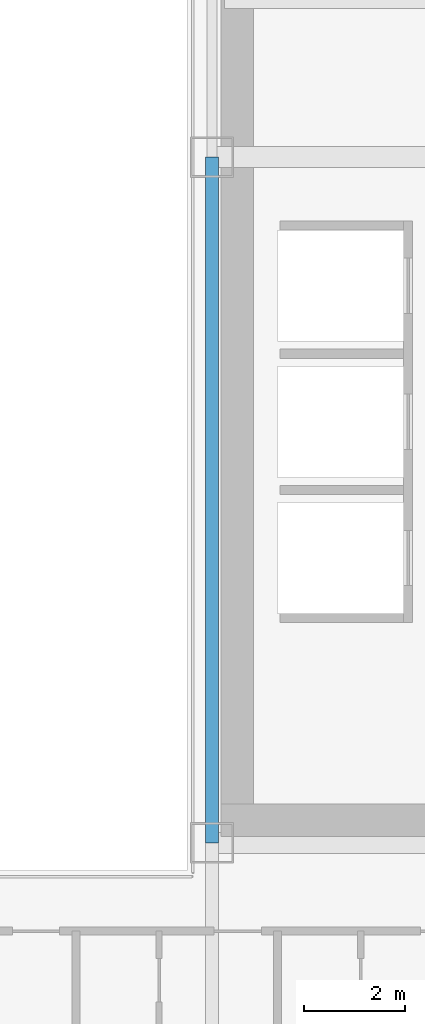
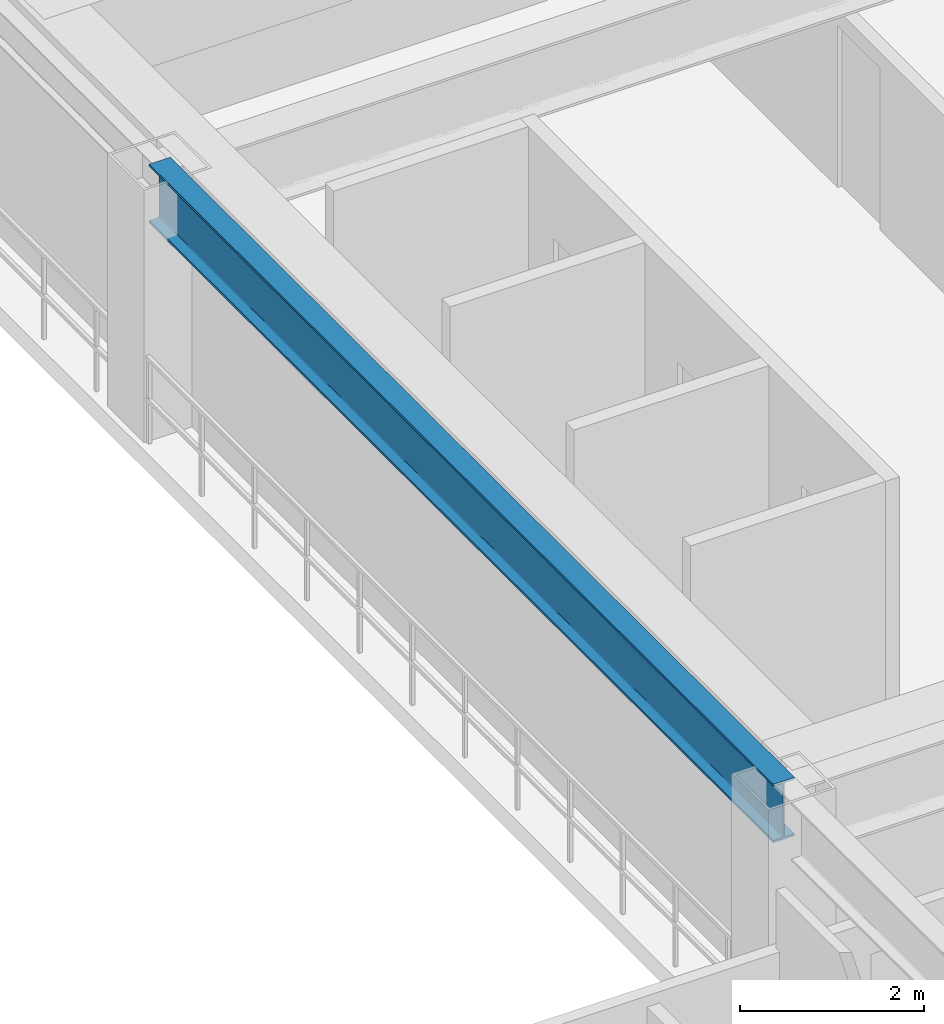
# One storey, part 12 of 36: 1 beam.
"""IFC4 building model written with IfcOpenShell, lengths in metres."""

import ifcopenshell
import ifcopenshell.guid

model = None  # the IFC model being written
_history = None  # IfcOwnerHistory: only IFC2X3 demands one
_inside = {}  # id of a spatial element -> (the spatial element, [elements in it])
_under = {}  # id of a project, library or spatial element -> (it, [spatial elements below it])
_declared = {}  # id of a project -> (the project, [libraries it declares])
_typed = {}  # id of a type object -> (the type object, [elements of that type])
_made_of = {}  # id of a material, layer set ... -> (it, [elements and type objects made of it])


def new_model(schema):
    """Start an empty IFC model of exactly this schema.

    Asked for "IFC4X3", IfcOpenShell would pick the latest addendum, in which some entities
    have other attributes; the version numbers below select the first issue.
    IFC2X3 requires an IfcOwnerHistory on every rooted entity: one is made here for all.
    """
    global model, _history
    if schema == "IFC4X3":
        model = ifcopenshell.file(schema_version=(4, 3, 0, 0))
    else:
        model = ifcopenshell.file(schema=schema)
    _inside.clear()
    _under.clear()
    _declared.clear()
    _typed.clear()
    _made_of.clear()
    _history = None
    if model.schema == "IFC2X3":
        org = make("IfcOrganization", Name="unknown")
        user = make(
            "IfcPersonAndOrganization",
            ThePerson=make("IfcPerson", FamilyName="unknown"),
            TheOrganization=org,
        )
        app = make(
            "IfcApplication",
            ApplicationDeveloper=org,
            Version="unknown",
            ApplicationFullName="unknown",
            ApplicationIdentifier="unknown",
        )
        _history = make(
            "IfcOwnerHistory",
            OwningUser=user,
            OwningApplication=app,
            ChangeAction="ADDED",
            CreationDate=0,
        )
    return model


def make(cls, **values):
    """One entity of the class cls with the attributes given. An attribute that is None is left unset."""
    return model.create_entity(
        cls, **{name: value for name, value in values.items() if value is not None}
    )


def rooted(cls, **values):
    """An entity with a GlobalId (a new one), such as an element, a storey or a relation."""
    return make(cls, GlobalId=ifcopenshell.guid.new(), OwnerHistory=_history, **values)


def si_unit(unit_type, name, prefix=None):
    """IfcSIUnit, for example si_unit("LENGTHUNIT", "METRE", prefix="MILLI")."""
    return make("IfcSIUnit", UnitType=unit_type, Prefix=prefix, Name=name)


def assignment(units):
    """IfcUnitAssignment: the units of a project."""
    return None if units is None else make("IfcUnitAssignment", Units=units)


def point(xyz):
    """IfcCartesianPoint."""
    return None if xyz is None else make("IfcCartesianPoint", Coordinates=xyz)


def direction(xyz):
    """IfcDirection."""
    return None if xyz is None else make("IfcDirection", DirectionRatios=xyz)


def frame(location, z_axis=None, x_axis=None):
    """IfcAxis2Placement3D, a coordinate frame: its origin and axes. An axis left out is left unset."""
    return make(
        "IfcAxis2Placement3D",
        Location=point(location),
        Axis=direction(z_axis),
        RefDirection=direction(x_axis),
    )


def frame_2d(location, x_axis=None):
    """IfcAxis2Placement2D, a coordinate frame in the plane: its origin and x axis."""
    return make(
        "IfcAxis2Placement2D", Location=point(location), RefDirection=direction(x_axis)
    )


def origin():
    """The frame at (0, 0, 0) with its axes left unset."""
    return frame((0.0, 0.0, 0.0))


def origin_2d():
    """The frame at (0, 0) in the plane with its x axis left unset."""
    return frame_2d((0.0, 0.0))


def place(relative_to, where):
    """IfcLocalPlacement: puts the frame where relative to a parent placement (None: the world)."""
    return make(
        "IfcLocalPlacement", PlacementRelTo=relative_to, RelativePlacement=where
    )


def context(
    kind, dimensions, precision=None, world=None, true_north=None, identifier=None
):
    """IfcGeometricRepresentationContext, for example the 3D "Model" context."""
    return make(
        "IfcGeometricRepresentationContext",
        ContextIdentifier=identifier,
        ContextType=kind,
        CoordinateSpaceDimension=dimensions,
        Precision=precision,
        WorldCoordinateSystem=world,
        TrueNorth=true_north,
    )


def subcontext(parent, identifier, kind, view, scale=None):
    """IfcGeometricRepresentationSubContext, for example "Body" below "Model"."""
    return make(
        "IfcGeometricRepresentationSubContext",
        ContextIdentifier=identifier,
        ContextType=kind,
        ParentContext=parent,
        TargetScale=scale,
        TargetView=view,
    )


def project(units=None, contexts=None):
    """IfcProject with its units and contexts."""
    return rooted(
        "IfcProject",
        Name="project",
        RepresentationContexts=contexts,
        UnitsInContext=assignment(units),
    )


def spatial(cls, under=None, at=None, **own):
    """A site, building, storey or space (cls), placed at a placement, below another one or the project."""
    s = rooted(cls, ObjectPlacement=at, **own)
    if under is not None:
        _under.setdefault(under.id(), (under, []))[1].append(s)
    return s


def profile(cls, at=None, kind="AREA", **sizes):
    """A parametric profile (cls). Its sizes go by their IFC names, for example OverallWidth=200.0."""
    return make(cls, ProfileType=kind, Position=at, **sizes)


def i_section(**sizes):
    """IfcIShapeProfileDef."""
    return profile("IfcIShapeProfileDef", **sizes)


def extrude(swept, where, along, depth):
    """IfcExtrudedAreaSolid: the profile swept, set in the frame where, extruded along a direction by depth."""
    return make(
        "IfcExtrudedAreaSolid",
        SweptArea=swept,
        Position=where,
        ExtrudedDirection=direction(along),
        Depth=depth,
    )


def shape(context_of_items, identifier, shape_type, items):
    """IfcShapeRepresentation: the items that make up one representation, for example the "Body"."""
    return make(
        "IfcShapeRepresentation",
        ContextOfItems=context_of_items,
        RepresentationIdentifier=identifier,
        RepresentationType=shape_type,
        Items=items,
    )


def source(mapping_origin, context_of_items, identifier, shape_type, items):
    """IfcRepresentationMap: a shape defined once, which mapped items show again and again."""
    return make(
        "IfcRepresentationMap",
        MappingOrigin=mapping_origin,
        MappedRepresentation=shape(context_of_items, identifier, shape_type, items),
    )


def transform(
    local_origin,
    x_axis=None,
    y_axis=None,
    z_axis=None,
    scale=None,
    scale2=None,
    scale3=None,
    uniform=True,
):
    """IfcCartesianTransformationOperator3D, or its non-uniform kind. x_axis, y_axis, z_axis: its Axis1, 2, 3."""
    if uniform:
        return make(
            "IfcCartesianTransformationOperator3D",
            Axis1=direction(x_axis),
            Axis2=direction(y_axis),
            LocalOrigin=point(local_origin),
            Scale=scale,
            Axis3=direction(z_axis),
        )
    return make(
        "IfcCartesianTransformationOperator3DnonUniform",
        Axis1=direction(x_axis),
        Axis2=direction(y_axis),
        LocalOrigin=point(local_origin),
        Scale=scale,
        Axis3=direction(z_axis),
        Scale2=scale2,
        Scale3=scale3,
    )


def mapped(mapping_source, mapping_target):
    """IfcMappedItem: shows the shape of a source again, moved by a transform."""
    return make(
        "IfcMappedItem", MappingSource=mapping_source, MappingTarget=mapping_target
    )


def material(Name=None, Category=None):
    """IfcMaterial."""
    return make("IfcMaterial", Name=Name, Category=Category)


def material_profile(
    of_material, cross_section, Name=None, Category=None, Priority=None
):
    """IfcMaterialProfile: a cross section and its material."""
    return make(
        "IfcMaterialProfile",
        Name=Name,
        Material=of_material,
        Profile=cross_section,
        Priority=Priority,
        Category=Category,
    )


def profile_set(profiles, Name=None, composite=None):
    """IfcMaterialProfileSet."""
    return make(
        "IfcMaterialProfileSet",
        Name=Name,
        MaterialProfiles=profiles,
        CompositeProfile=composite,
    )


def made_of(thing, what):
    """Note that an element or type object is made of a material, layer set ...; save() writes the relation."""
    if what is not None:
        _made_of.setdefault(what.id(), (what, []))[1].append(thing)
    return thing


def type_object(cls, material=None, **own):
    """A type object (cls), such as IfcWallType, which elements share."""
    return made_of(rooted(cls, **own), material)


def element(
    cls,
    number,
    at=None,
    inside=None,
    cuts=None,
    type_object=None,
    material=None,
    context=None,
    identifier="Body",
    shape_type=None,
    held_by="IfcProductDefinitionShape",
    body=None,
    shapes=None,
    **own,
):
    """One element of the class cls, such as IfcWall. Its Tag is "e" and its number.

    at: its placement. inside: the storey or other place that contains it. cuts: it is an
    opening in that element (IfcRelVoidsElement). A single representation is given by context,
    identifier, shape_type and body (its items); several are given by shapes. held_by: the class
    of the entity that holds the representations. save() writes the other relations.
    """
    e = rooted(cls, Tag="e%d" % number, ObjectPlacement=at, **own)
    if body is not None:
        shapes = [shape(context, identifier, shape_type, body)]
    if shapes is not None:
        e.Representation = make(held_by, Representations=shapes)
    if inside is not None:
        _inside.setdefault(inside.id(), (inside, []))[1].append(e)
    if cuts is not None:
        rooted(
            "IfcRelVoidsElement", RelatingBuildingElement=cuts, RelatedOpeningElement=e
        )
    if type_object is not None:
        _typed.setdefault(type_object.id(), (type_object, []))[1].append(e)
    return made_of(e, material)


def aggregate(whole, parts):
    """IfcRelAggregates: a whole, such as a stair, and the parts it consists of."""
    return rooted("IfcRelAggregates", RelatingObject=whole, RelatedObjects=parts)


def save(model, path):
    """Write the relations noted so far, then the file.

    IfcRelAggregates (storeys below a building ...), IfcRelContainedInSpatialStructure (elements
    in a storey), IfcRelDefinesByType, IfcRelAssociatesMaterial and IfcRelDeclares: one each for
    every whole, place, type object, material and project.
    """
    for whole, parts in _under.values():
        aggregate(whole, parts)
    for where, things in _inside.values():
        rooted(
            "IfcRelContainedInSpatialStructure",
            RelatedElements=things,
            RelatingStructure=where,
        )
    for kind, things in _typed.values():
        rooted("IfcRelDefinesByType", RelatedObjects=things, RelatingType=kind)
    for what, things in _made_of.values():
        rooted("IfcRelAssociatesMaterial", RelatedObjects=things, RelatingMaterial=what)
    for by, libraries in _declared.values():
        rooted("IfcRelDeclares", RelatingContext=by, RelatedDefinitions=libraries)
    model.write(path)


model = new_model("IFC4")

# Units and contexts
model_context = context("Model", 3, precision=1e-05, world=origin(), true_north=direction((0.0, 1.0)))
body_context = subcontext(model_context, "Body", "Model", "MODEL_VIEW")
ifc_project = project(units=[si_unit("LENGTHUNIT", "METRE"), si_unit("AREAUNIT", "SQUARE_METRE"), si_unit("VOLUMEUNIT", "CUBIC_METRE"), si_unit("PLANEANGLEUNIT", "RADIAN"), si_unit("MASSUNIT", "GRAM", prefix="KILO")], contexts=[model_context])

# Site, building, storey
site_placement = place(None, origin())
site = spatial("IfcSite", under=ifc_project, at=site_placement, CompositionType="ELEMENT")
building_placement = place(site_placement, origin())
building = spatial("IfcBuilding", under=site, at=building_placement, Name="Ocotamira Hotel", CompositionType="ELEMENT")
storey_placement = place(building_placement, frame((0.0, 0.0, 133.199951171875)))
storey = spatial("IfcBuildingStorey", under=building, at=storey_placement, Name="L33", CompositionType="ELEMENT", Elevation=133.199951171875)

# Beam
ifc_material = material(Name="Steel ASTM A992 Grade 50", Category="steel")
ifc_material_profile = material_profile(ifc_material, i_section(OverallWidth=0.26611328125, OverallDepth=0.779052734375, WebThickness=0.0166015625, FlangeThickness=0.030029296875, FilletRadius=0.01806640625, at=origin_2d()), Name="W30X148")
ifc_profile_set = profile_set([ifc_material_profile], Name="Steel ASTM A992 Grade 50")
beam_type = type_object("IfcBeamType", Name="BM-GIRD-W30X148", PredefinedType="BEAM", material=ifc_profile_set)
shared_shape = source(origin(), body_context, "Body", "SweptSolid", [
    extrude(i_section(OverallWidth=0.26611328125, OverallDepth=0.779052734375, WebThickness=0.0166015625, FlangeThickness=0.030029296875, FilletRadius=0.01806640625, at=origin_2d()), origin(), (0.0, 0.0, 1.0), 13.599853515625),
])
beam_placement = place(storey_placement, frame((40.5, 14.550048828125, 2.970458984375), z_axis=(0.0, 1.0, 0.0), x_axis=(-1.0, 0.0, 0.0)))
element("IfcBeam", 1, at=beam_placement, inside=storey, type_object=beam_type, Name="L33 Beam X40.5 Y14.55-28.15", PredefinedType="BEAM", context=body_context, shape_type="MappedRepresentation", body=[
    mapped(shared_shape, transform((0.0, 0.0, 0.0), scale=1.0)),
])

save(model, "model.ifc")
